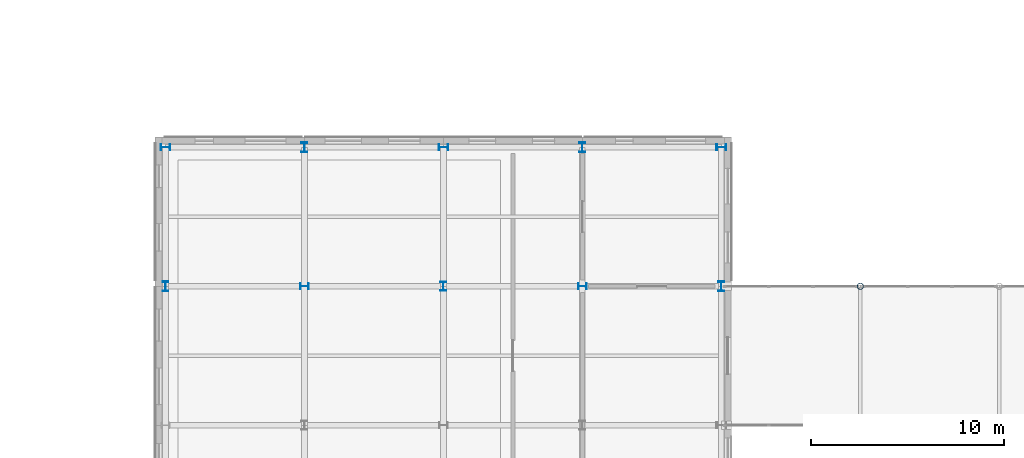
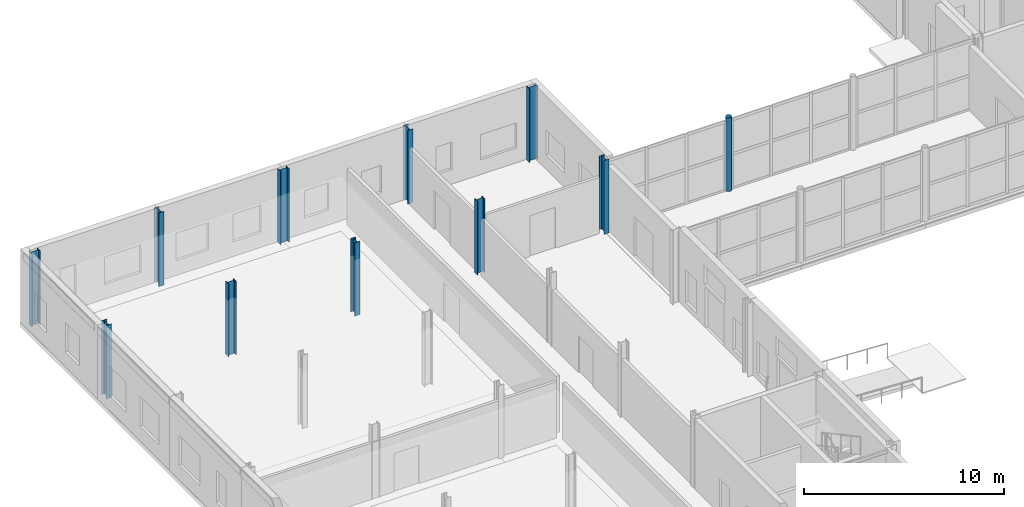
# One storey, part 12 of 92: 11 columns.
"""IFC4 building model written with IfcOpenShell, lengths in metres."""

from ifc_helpers import new_model, si_unit, direction, frame, origin, origin_2d, place, context, subcontext, project, spatial, hollow_circle, i_section, extrude, material, material_profile, profile_set, type_object, element, save


model = new_model("IFC4")

# Units and contexts
model_context = context("Model", 3, precision=1e-05, world=origin(), true_north=direction((0.0, 1.0)))
body_context = subcontext(model_context, "Body", "Model", "MODEL_VIEW")
ifc_project = project(units=[si_unit("LENGTHUNIT", "METRE"), si_unit("AREAUNIT", "SQUARE_METRE"), si_unit("VOLUMEUNIT", "CUBIC_METRE"), si_unit("PLANEANGLEUNIT", "RADIAN"), si_unit("MASSUNIT", "GRAM", prefix="KILO")], contexts=[model_context])

# Site, building, storey
site_placement = place(None, origin())
site = spatial("IfcSite", under=ifc_project, at=site_placement, CompositionType="ELEMENT")
building_placement = place(site_placement, origin())
building = spatial("IfcBuilding", under=site, at=building_placement, Name="Zlatovets Crest Museum", CompositionType="ELEMENT")
storey_placement = place(building_placement, origin())
storey = spatial("IfcBuildingStorey", under=building, at=storey_placement, Name="L00", CompositionType="ELEMENT", Elevation=0.0)

# Columns
ifc_material = material(Name="Structural steel S355J2", Category="steel")
ifc_material_profile_1 = material_profile(ifc_material, i_section(OverallWidth=0.300048828125, OverallDepth=0.5, WebThickness=0.014404296875, FlangeThickness=0.028076171875, FilletRadius=0.027099609375, at=origin_2d()), Name="HEB 500")
ifc_profile_set_1 = profile_set([ifc_material_profile_1], Name="Structural steel S355J2")
column_type_1 = type_object("IfcColumnType", Name="Col_C-05", PredefinedType="COLUMN", material=ifc_profile_set_1)
for number, where, z_axis, x_axis, name in (
    (1, (7.199951171875, 93.60009765625, 0.0), (0.0, 0.0, 1.0), (1.0, 0.0, 0.0), "V4 L00 Column (7.2, 93.6)"),
    (2, (7.199951171875, 100.800048828125, 0.0), (0.0, 0.0, 1.0), (0.0, 1.0, 0.0), "V4 L00 Column (7.2, 100.8)"),
    (3, (14.39990234375, 100.800048828125, 0.0), (0.0, 0.0, 1.0), (1.0, 0.0, 0.0), "V4 L00 Column (14.4, 100.8)"),
    (4, (21.60009765625, 100.800048828125, 0.0), (0.0, 0.0, 1.0), (0.0, 1.0, 0.0), "V4 L00 Column (21.6, 100.8)"),
    (5, (28.800048828125, 100.800048828125, 0.0), (0.0, 0.0, 1.0), (1.0, 0.0, 0.0), "V4 L00 Column (28.8, 100.8)"),
    (6, (36.0, 93.60009765625, 0.0), (0.0, 0.0, 1.0), (1.0, 0.0, 0.0), "V4 L00 Column (36.0, 93.6)"),
    (7, (36.0, 100.800048828125, 0.0), (0.0, 0.0, 1.0), (0.0, 1.0, 0.0), "V4 L00 Column (36.0, 100.8)"),
):
    element("IfcColumn", number, at=place(storey_placement, frame(where, z_axis=z_axis, x_axis=x_axis)), inside=storey, type_object=column_type_1, Name=name, PredefinedType="COLUMN", context=body_context, shape_type="SweptSolid", body=[
        extrude(i_section(OverallWidth=0.300048828125, OverallDepth=0.5, WebThickness=0.014404296875, FlangeThickness=0.028076171875, FilletRadius=0.027099609375, at=origin_2d()), origin(), (0.0, 0.0, 1.0), 4.5),
    ])
ifc_material_profile_2 = material_profile(ifc_material, i_section(OverallWidth=0.300048828125, OverallDepth=0.449951171875, WebThickness=0.013916015625, FlangeThickness=0.02587890625, FilletRadius=0.027099609375, at=origin_2d()), Name="HEB 450")
ifc_profile_set_2 = profile_set([ifc_material_profile_2], Name="Structural steel S355J2")
column_type_2 = type_object("IfcColumnType", Name="Col_C-06", PredefinedType="COLUMN", material=ifc_profile_set_2)
for number, where, z_axis, x_axis, name in (
    (8, (14.39990234375, 93.60009765625, 0.0), (0.0, 0.0, 1.0), (0.0, 1.0, 0.0), "V4 L00 Column (14.4, 93.6)"),
    (9, (21.60009765625, 93.60009765625, 0.0), (0.0, 0.0, 1.0), (1.0, 0.0, 0.0), "V4 L00 Column (21.6, 93.6)"),
    (10, (28.800048828125, 93.60009765625, 0.0), (0.0, 0.0, 1.0), (0.0, 1.0, 0.0), "V4 L00 Column (28.8, 93.6)"),
):
    element("IfcColumn", number, at=place(storey_placement, frame(where, z_axis=z_axis, x_axis=x_axis)), inside=storey, type_object=column_type_2, Name=name, PredefinedType="COLUMN", context=body_context, shape_type="SweptSolid", body=[
        extrude(i_section(OverallWidth=0.300048828125, OverallDepth=0.449951171875, WebThickness=0.013916015625, FlangeThickness=0.02587890625, FilletRadius=0.027099609375, at=origin_2d()), origin(), (0.0, 0.0, 1.0), 4.5),
    ])
ifc_material_profile_3 = material_profile(ifc_material, hollow_circle(Radius=0.161865234375, WallThickness=0.012451171875, at=origin_2d()), Name="CHS 323.9x12.5")
ifc_profile_set_3 = profile_set([ifc_material_profile_3], Name="Structural steel S355J2")
column_type_3 = type_object("IfcColumnType", Name="Col_C-13", PredefinedType="COLUMN", material=ifc_profile_set_3)
column_placement = place(storey_placement, frame((43.199951171875, 93.60009765625, 0.0), z_axis=(0.0, 0.0, 1.0), x_axis=(1.0, 0.0, 0.0)))
element("IfcColumn", 11, at=column_placement, inside=storey, type_object=column_type_3, Name="Northwest Crest Glazed Link Bridge Portal Column", PredefinedType="COLUMN", context=body_context, shape_type="SweptSolid", body=[
    extrude(hollow_circle(Radius=0.161865234375, WallThickness=0.012451171875, at=origin_2d()), origin(), (0.0, 0.0, 1.0), 4.5),
])

save(model, "model.ifc")
